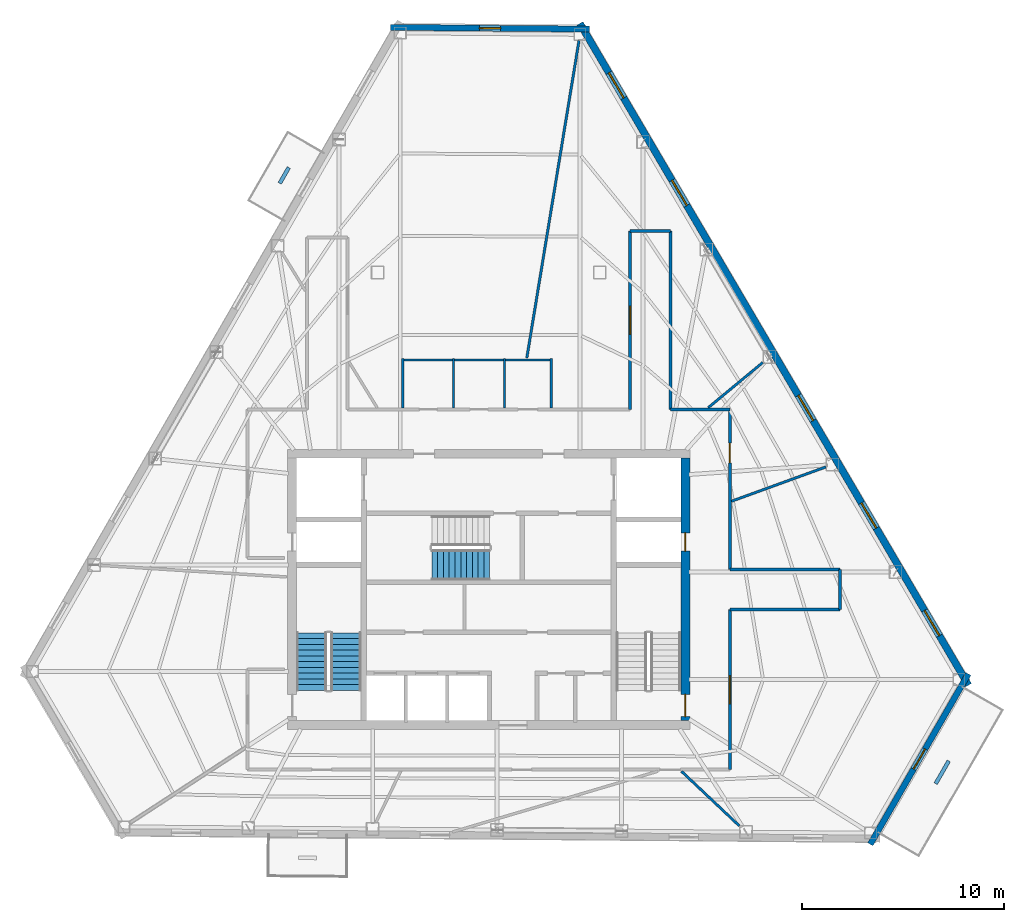
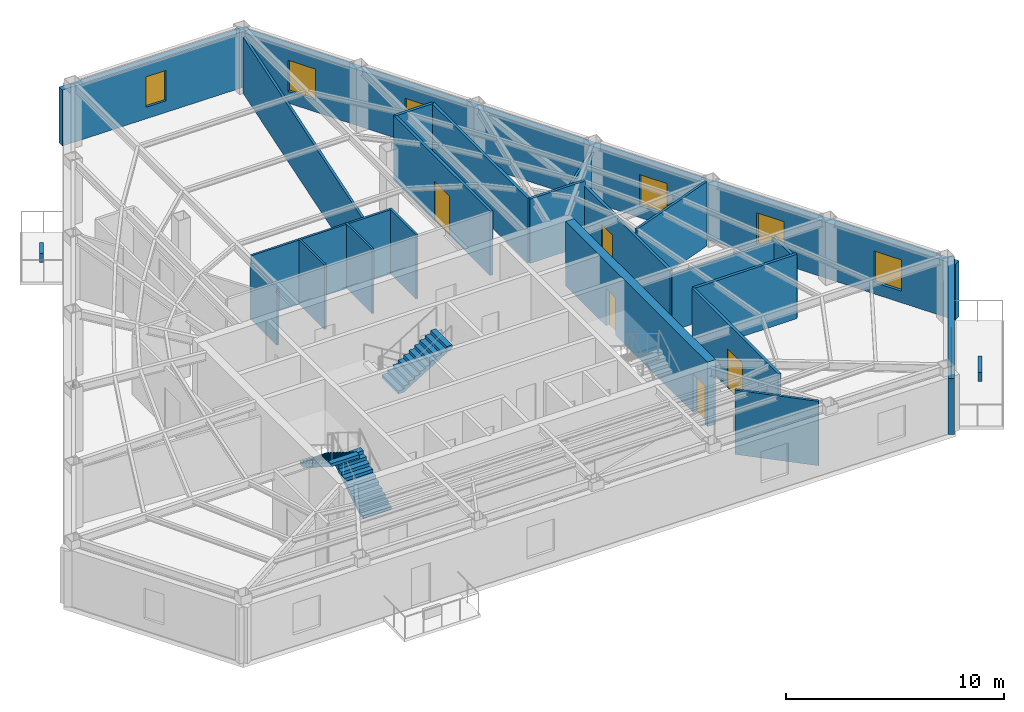
# One storey, part 9 of 12: 24 walls, 6 doors, 6 windows, 3 stair flights, 12 openings, 2 elements without a shape of their own.
"""IFC4 building model written with IfcOpenShell, lengths in metres."""

from ifc_helpers import new_model, si_unit, direction, frame, frame_2d, origin, place, context, subcontext, project, spatial, polyline, rectangle, outline, extrude, material, layer, layer_set, type_object, element, fill, aggregate, save


model = new_model("IFC4")

# Units and contexts
model_context = context("Model", 3, precision=1e-05, world=origin(), true_north=direction((0.0, 1.0)))
body_context = subcontext(model_context, "Body", "Model", "MODEL_VIEW")
ifc_project = project(units=[si_unit("LENGTHUNIT", "METRE"), si_unit("AREAUNIT", "SQUARE_METRE"), si_unit("VOLUMEUNIT", "CUBIC_METRE"), si_unit("PLANEANGLEUNIT", "RADIAN"), si_unit("MASSUNIT", "GRAM", prefix="KILO")], contexts=[model_context])

# Site, building, storey
site_placement = place(None, origin())
site = spatial("IfcSite", under=ifc_project, at=site_placement, CompositionType="ELEMENT")
building_placement = place(site_placement, origin())
building = spatial("IfcBuilding", under=site, at=building_placement, Name="Kavelnor Concourse Tower", CompositionType="ELEMENT")
storey_placement = place(building_placement, frame((0.0, 0.0, 191.949951171875)))
storey = spatial("IfcBuildingStorey", under=building, at=storey_placement, Name="L48", CompositionType="ELEMENT", Elevation=191.949951171875)

# Wall, openings, doors
ifc_material_1 = material(Name="Concrete C50/60", Category="concrete")
ifc_layer_1 = layer(ifc_material_1, 0.43994140625, Name="Concrete C50/60")
ifc_layer_set_1 = layer_set([ifc_layer_1], Name="Concrete C50/60")
wall_type_1 = type_object("IfcWallType", Name="WL-CORE-Z3-440", PredefinedType="SOLIDWALL", material=ifc_layer_set_1)
wall_1_placement = place(storey_placement, frame((47.739990234375, 9.60009765625, 0.0), z_axis=(0.0, 0.0, 1.0), x_axis=(0.0, 1.0, 0.0)))
wall_1 = element("IfcWall", 1, at=wall_1_placement, inside=storey, type_object=wall_type_1, Name="L48 Central Core East Shear Wall", PredefinedType="SOLIDWALL", context=body_context, shape_type="SweptSolid", body=[
    extrude(rectangle(XDim=13.0, YDim=0.43994140625, at=frame_2d((6.5, 0.0))), origin(), (0.0, 0.0, 1.0), 3.60009765625),
])
opening_1_placement = place(wall_1_placement, frame((0.199951171875, 0.0, 0.0)))
opening_1 = element("IfcOpeningElement", 2, at=opening_1_placement, cuts=wall_1, Name="Opening FD-110", PredefinedType="OPENING", context=body_context, shape_type="SweptSolid", body=[
    extrude(rectangle(XDim=1.10009765625, YDim=2.14990234375, at=frame_2d((0.550048828125, 1.074951171875))), frame((0.0, 0.22998046875, 0.0), z_axis=(0.0, -1.0, 0.0), x_axis=(1.0, 0.0, 0.0)), (0.0, 0.0, 1.0), 0.4599609375),
])
opening_2_placement = place(wall_1_placement, frame((8.39990234375, 0.0, 0.0)))
opening_2 = element("IfcOpeningElement", 3, at=opening_2_placement, cuts=wall_1, Name="Opening FD-090", PredefinedType="OPENING", context=body_context, shape_type="SweptSolid", body=[
    extrude(rectangle(XDim=0.89990234375, YDim=2.10009765625, at=frame_2d((0.449951171875, 1.050048828125))), frame((0.0, 0.22998046875, 0.0), z_axis=(0.0, -1.0, 0.0), x_axis=(1.0, 0.0, 0.0)), (0.0, 0.0, 1.0), 0.4599609375),
])
ifc_material_2 = material(Name="Steel Grade 350", Category="steel")
door_type_1 = type_object("IfcDoorType", Name="DR-RISER-FIRE-900", OperationType="NOTDEFINED", PredefinedType="DOOR", material=ifc_material_2)
door_1_placement = place(opening_2_placement, origin())
door_1 = element("IfcDoor", 4, at=door_1_placement, inside=storey, type_object=door_type_1, Name="L48 East Riser Access Door", OperationType="SINGLE_SWING_LEFT", OverallHeight=2.10009765625, OverallWidth=0.89990234375, PredefinedType="DOOR", context=body_context, shape_type="SweptSolid", body=[
    extrude(rectangle(XDim=0.89990234375, YDim=2.10009765625, at=frame_2d((0.449951171875, 1.050048828125))), frame((0.0, 0.02490234375, 0.0), z_axis=(0.0, -1.0, 0.0), x_axis=(1.0, 0.0, 0.0)), (0.0, 0.0, 1.0), 0.050048828125),
])
fill(opening_2, door_1)
door_type_2 = type_object("IfcDoorType", Name="DR-STAIR-FIRE-1100", OperationType="NOTDEFINED", PredefinedType="DOOR", material=ifc_material_2)
door_2_placement = place(opening_1_placement, origin())
door_2 = element("IfcDoor", 5, at=door_2_placement, inside=storey, type_object=door_type_2, Name="L48 Stair ST2 Fire Door", OperationType="SINGLE_SWING_RIGHT", OverallHeight=2.14990234375, OverallWidth=1.10009765625, PredefinedType="DOOR", context=body_context, shape_type="SweptSolid", body=[
    extrude(rectangle(XDim=1.10009765625, YDim=2.14990234375, at=frame_2d((0.550048828125, 1.074951171875))), frame((0.0, 0.02490234375, 0.0), z_axis=(0.0, -1.0, 0.0), x_axis=(1.0, 0.0, 0.0)), (0.0, 0.0, 1.0), 0.050048828125),
])
fill(opening_1, door_2)

# Wall, opening, window
ifc_material_3 = material(Name="Buff ironspot clay face brick masonry", Category="masonry")
ifc_layer_2 = layer(ifc_material_3, 0.300048828125, Name="Buff ironspot clay face brick masonry")
ifc_layer_set_2 = layer_set([ifc_layer_2], Name="Buff ironspot clay face brick masonry")
wall_type_2 = type_object("IfcWallType", Name="WL-EXT-BUFF-BRICK-FOLD-300", PredefinedType="STANDARD", material=ifc_layer_set_2)
wall_2_placement = place(storey_placement, frame((33.139404296875, 43.9375, 0.0), z_axis=(0.0, 0.0, 1.0), x_axis=(0.999963705721, -0.008519814607, 0.0)))
wall_2 = element("IfcWall", 6, at=wall_2_placement, inside=storey, type_object=wall_type_2, Name="L48 Exterior Brick Facade Wall E0", PredefinedType="STANDARD", context=body_context, shape_type="SweptSolid", body=[
    extrude(rectangle(XDim=9.857421875, YDim=0.300048828125, at=frame_2d((4.9287109375, 0.0))), origin(), (0.0, 0.0, 1.0), 3.132080078125),
])
opening_3_placement = place(wall_2_placement, frame((4.40380859375, 0.0, 0.64990234375)))
opening_3 = element("IfcOpeningElement", 7, at=opening_3_placement, cuts=wall_2, Name="Opening W-06", PredefinedType="OPENING", context=body_context, shape_type="SweptSolid", body=[
    extrude(rectangle(XDim=1.050048828125, YDim=1.699951171875, at=frame_2d((0.52490234375, 0.85009765625))), frame((0.0, 0.16015625, 0.0), z_axis=(0.0, -1.0, 0.0), x_axis=(1.0, 0.0, 0.0)), (0.0, 0.0, 1.0), 0.320068359375),
])
ifc_material_4 = material(Name="Double low-E argon insulated glazing", Category="glass")
window_type_1 = type_object("IfcWindowType", Name="WIN-FOLD-1050", PartitioningType="SINGLE_PANEL", PredefinedType="WINDOW", material=ifc_material_4)
window_1_placement = place(opening_3_placement, origin())
window_1 = element("IfcWindow", 8, at=window_1_placement, inside=storey, type_object=window_type_1, Name="L48 Chamfer-Fold Facet Window C0", OverallHeight=1.699951171875, OverallWidth=1.050048828125, PartitioningType="SINGLE_PANEL", PredefinedType="WINDOW", context=body_context, shape_type="SweptSolid", body=[
    extrude(rectangle(XDim=1.050048828125, YDim=1.699951171875, at=frame_2d((0.52490234375, 0.85009765625))), frame((0.0, 0.030029296875, 0.0), z_axis=(0.0, -1.0, 0.0), x_axis=(1.0, 0.0, 0.0)), (0.0, 0.0, 1.0), 0.06005859375),
])
fill(opening_3, window_1)

# Wall, opening, door
wall_3_placement = place(storey_placement, frame((61.75341796875, 11.9189453125, 0.0), z_axis=(0.0, 0.0, 1.0), x_axis=(-0.498955314761, -0.866627713538, 0.0)))
wall_3 = element("IfcWall", 9, at=wall_3_placement, inside=storey, type_object=wall_type_2, Name="L48 Exterior Brick Facade Wall E4", PredefinedType="STANDARD", context=body_context, shape_type="SweptSolid", body=[
    extrude(rectangle(XDim=9.737060546875, YDim=0.300048828125, at=frame_2d((4.86865234375, 0.0))), origin(), (0.0, 0.0, 1.0), 3.132080078125),
])
opening_4_placement = place(wall_3_placement, frame((4.293701171875, 0.0, 0.0)))
opening_4 = element("IfcOpeningElement", 10, at=opening_4_placement, cuts=wall_3, Name="Opening TD-115", PredefinedType="OPENING", context=body_context, shape_type="SweptSolid", body=[
    extrude(rectangle(XDim=1.14990234375, YDim=2.199951171875, at=frame_2d((0.574951171875, 1.10009765625))), frame((0.0, 0.16015625, 0.0), z_axis=(0.0, -1.0, 0.0), x_axis=(1.0, 0.0, 0.0)), (0.0, 0.0, 1.0), 0.320068359375),
])
ifc_material_5 = material(Name="Anodised aluminium 6063-T6", Category="aluminium")
door_type_3 = type_object("IfcDoorType", Name="DR-TERRACE-EXT-1150", OperationType="NOTDEFINED", PredefinedType="DOOR", material=ifc_material_5)
door_3_placement = place(opening_4_placement, origin())
door_3 = element("IfcDoor", 11, at=door_3_placement, inside=storey, type_object=door_type_3, Name="L48 Spiral Sky Terrace Access Door", OperationType="SINGLE_SWING_LEFT", OverallHeight=2.199951171875, OverallWidth=1.14990234375, PredefinedType="DOOR", context=body_context, shape_type="SweptSolid", body=[
    extrude(rectangle(XDim=1.14990234375, YDim=2.199951171875, at=frame_2d((0.574951171875, 1.10009765625))), frame((0.0, 0.02490234375, 0.0), z_axis=(0.0, -1.0, 0.0), x_axis=(1.0, 0.0, 0.0)), (0.0, 0.0, 1.0), 0.050048828125),
])
fill(opening_4, door_3)

# Wall, openings, windows
ifc_material_6 = material(Name="Red-ochre clay face brick masonry", Category="masonry")
ifc_layer_3 = layer(ifc_material_6, 0.35009765625, Name="Red-ochre clay face brick masonry")
ifc_layer_set_3 = layer_set([ifc_layer_3], Name="Red-ochre clay face brick masonry")
wall_type_3 = type_object("IfcWallType", Name="WL-EXT-RED-BRICK-PIER-350", PredefinedType="STANDARD", material=ifc_layer_set_3)
wall_4_placement = place(storey_placement, frame((42.515869140625, 44.13134765625, 0.0), z_axis=(0.0, 0.0, 1.0), x_axis=(0.506310158323, -0.862351450152, 0.0)))
wall_4 = element("IfcWall", 12, at=wall_4_placement, inside=storey, type_object=wall_type_3, Name="L48 Exterior Brick Facade Wall E5", PredefinedType="STANDARD", context=body_context, shape_type="SweptSolid", body=[
    extrude(rectangle(XDim=38.0, YDim=0.35009765625, at=frame_2d((19.0, 0.0))), origin(), (0.0, 0.0, 1.0), 3.132080078125),
])
opening_5_placement = place(wall_4_placement, frame((33.70849609375, 0.0, 0.64990234375)))
opening_5 = element("IfcOpeningElement", 13, at=opening_5_placement, cuts=wall_4, Name="Opening W-03", PredefinedType="OPENING", context=body_context, shape_type="SweptSolid", body=[
    extrude(rectangle(XDim=1.449951171875, YDim=1.75, at=frame_2d((0.72509765625, 0.875))), frame((0.0, 0.18505859375, 0.0), z_axis=(0.0, -1.0, 0.0), x_axis=(1.0, 0.0, 0.0)), (0.0, 0.0, 1.0), 0.3701171875),
])
opening_6_placement = place(wall_4_placement, frame((27.53369140625, 0.0, 0.64990234375)))
opening_6 = element("IfcOpeningElement", 14, at=opening_6_placement, cuts=wall_4, Name="Opening W-03", PredefinedType="OPENING", context=body_context, shape_type="SweptSolid", body=[
    extrude(rectangle(XDim=1.449951171875, YDim=1.75, at=frame_2d((0.72509765625, 0.875))), frame((0.0, 0.18505859375, 0.0), z_axis=(0.0, -1.0, 0.0), x_axis=(1.0, 0.0, 0.0)), (0.0, 0.0, 1.0), 0.3701171875),
])
opening_7_placement = place(wall_4_placement, frame((21.35888671875, 0.0, 0.64990234375)))
opening_7 = element("IfcOpeningElement", 15, at=opening_7_placement, cuts=wall_4, Name="Opening W-03", PredefinedType="OPENING", context=body_context, shape_type="SweptSolid", body=[
    extrude(rectangle(XDim=1.449951171875, YDim=1.75, at=frame_2d((0.72509765625, 0.875))), frame((0.0, 0.18505859375, 0.0), z_axis=(0.0, -1.0, 0.0), x_axis=(1.0, 0.0, 0.0)), (0.0, 0.0, 1.0), 0.3701171875),
])
opening_8_placement = place(wall_4_placement, frame((9.00927734375, 0.0, 0.64990234375)))
opening_8 = element("IfcOpeningElement", 16, at=opening_8_placement, cuts=wall_4, Name="Opening W-03", PredefinedType="OPENING", context=body_context, shape_type="SweptSolid", body=[
    extrude(rectangle(XDim=1.449951171875, YDim=1.75, at=frame_2d((0.72509765625, 0.875))), frame((0.0, 0.18505859375, 0.0), z_axis=(0.0, -1.0, 0.0), x_axis=(1.0, 0.0, 0.0)), (0.0, 0.0, 1.0), 0.3701171875),
])
opening_9_placement = place(wall_4_placement, frame((2.83447265625, 0.0, 0.64990234375)))
opening_9 = element("IfcOpeningElement", 17, at=opening_9_placement, cuts=wall_4, Name="Opening W-03", PredefinedType="OPENING", context=body_context, shape_type="SweptSolid", body=[
    extrude(rectangle(XDim=1.449951171875, YDim=1.75, at=frame_2d((0.72509765625, 0.875))), frame((0.0, 0.18505859375, 0.0), z_axis=(0.0, -1.0, 0.0), x_axis=(1.0, 0.0, 0.0)), (0.0, 0.0, 1.0), 0.3701171875),
])
window_type_2 = type_object("IfcWindowType", Name="WIN-PIER-Z3-1500", PartitioningType="SINGLE_PANEL", PredefinedType="WINDOW", material=ifc_material_4)
window_2_placement = place(opening_5_placement, origin())
window_2 = element("IfcWindow", 18, at=window_2_placement, inside=storey, type_object=window_type_2, Name="L48 Deep-Set Brick Pier Window F2-B0", OverallHeight=1.75, OverallWidth=1.449951171875, PartitioningType="SINGLE_PANEL", PredefinedType="WINDOW", context=body_context, shape_type="SweptSolid", body=[
    extrude(rectangle(XDim=1.449951171875, YDim=1.75, at=frame_2d((0.72509765625, 0.875))), frame((0.0, 0.030029296875, 0.0), z_axis=(0.0, -1.0, 0.0), x_axis=(1.0, 0.0, 0.0)), (0.0, 0.0, 1.0), 0.06005859375),
])
fill(opening_5, window_2)
window_3_placement = place(opening_6_placement, origin())
window_3 = element("IfcWindow", 19, at=window_3_placement, inside=storey, type_object=window_type_2, Name="L48 Deep-Set Brick Pier Window F2-B1", OverallHeight=1.75, OverallWidth=1.449951171875, PartitioningType="SINGLE_PANEL", PredefinedType="WINDOW", context=body_context, shape_type="SweptSolid", body=[
    extrude(rectangle(XDim=1.449951171875, YDim=1.75, at=frame_2d((0.72509765625, 0.875))), frame((0.0, 0.030029296875, 0.0), z_axis=(0.0, -1.0, 0.0), x_axis=(1.0, 0.0, 0.0)), (0.0, 0.0, 1.0), 0.06005859375),
])
fill(opening_6, window_3)
window_4_placement = place(opening_7_placement, origin())
window_4 = element("IfcWindow", 20, at=window_4_placement, inside=storey, type_object=window_type_2, Name="L48 Deep-Set Brick Pier Window F2-B2", OverallHeight=1.75, OverallWidth=1.449951171875, PartitioningType="SINGLE_PANEL", PredefinedType="WINDOW", context=body_context, shape_type="SweptSolid", body=[
    extrude(rectangle(XDim=1.449951171875, YDim=1.75, at=frame_2d((0.72509765625, 0.875))), frame((0.0, 0.030029296875, 0.0), z_axis=(0.0, -1.0, 0.0), x_axis=(1.0, 0.0, 0.0)), (0.0, 0.0, 1.0), 0.06005859375),
])
fill(opening_7, window_4)
window_5_placement = place(opening_8_placement, origin())
window_5 = element("IfcWindow", 21, at=window_5_placement, inside=storey, type_object=window_type_2, Name="L48 Deep-Set Brick Pier Window F2-B4", OverallHeight=1.75, OverallWidth=1.449951171875, PartitioningType="SINGLE_PANEL", PredefinedType="WINDOW", context=body_context, shape_type="SweptSolid", body=[
    extrude(rectangle(XDim=1.449951171875, YDim=1.75, at=frame_2d((0.72509765625, 0.875))), frame((0.0, 0.030029296875, 0.0), z_axis=(0.0, -1.0, 0.0), x_axis=(1.0, 0.0, 0.0)), (0.0, 0.0, 1.0), 0.06005859375),
])
fill(opening_8, window_5)
window_6_placement = place(opening_9_placement, origin())
window_6 = element("IfcWindow", 22, at=window_6_placement, inside=storey, type_object=window_type_2, Name="L48 Deep-Set Brick Pier Window F2-B5", OverallHeight=1.75, OverallWidth=1.449951171875, PartitioningType="SINGLE_PANEL", PredefinedType="WINDOW", context=body_context, shape_type="SweptSolid", body=[
    extrude(rectangle(XDim=1.449951171875, YDim=1.75, at=frame_2d((0.72509765625, 0.875))), frame((0.0, 0.030029296875, 0.0), z_axis=(0.0, -1.0, 0.0), x_axis=(1.0, 0.0, 0.0)), (0.0, 0.0, 1.0), 0.06005859375),
])
fill(opening_9, window_6)

# Wall, opening, door
ifc_material_7 = material(Name="Gypsum plasterboard on light-gauge steel studs", Category="steel")
ifc_layer_4 = layer(ifc_material_7, 0.14501953125, Name="Gypsum plasterboard on light-gauge steel studs")
ifc_layer_set_4 = layer_set([ifc_layer_4], Name="Gypsum plasterboard on light-gauge steel studs")
wall_type_4 = type_object("IfcWallType", Name="WL-INT-CORR-145", PredefinedType="PARTITIONING", material=ifc_layer_set_4)
wall_5_placement = place(storey_placement, frame((45.0, 25.02001953125, 0.0), z_axis=(0.0, 0.0, 1.0), x_axis=(0.0, 1.0, 0.0)))
wall_5 = element("IfcWall", 23, at=wall_5_placement, inside=storey, type_object=wall_type_4, Name="L48 Corridor Wall WL-L48-CR-08", PredefinedType="PARTITIONING", context=body_context, shape_type="SweptSolid", body=[
    extrude(rectangle(XDim=8.836669921875, YDim=0.14501953125, at=frame_2d((4.41845703125, 0.0))), origin(), (0.0, 0.0, 1.0), 3.60009765625),
])
opening_10_placement = place(wall_5_placement, frame((3.71826171875, 0.0, 0.0)))
opening_10 = element("IfcOpeningElement", 24, at=opening_10_placement, cuts=wall_5, Name="Opening SD-140", PredefinedType="OPENING", context=body_context, shape_type="SweptSolid", body=[
    extrude(rectangle(XDim=1.39990234375, YDim=2.199951171875, at=frame_2d((0.699951171875, 1.10009765625))), frame((0.0, 0.08251953125, 0.0), z_axis=(0.0, -1.0, 0.0), x_axis=(1.0, 0.0, 0.0)), (0.0, 0.0, 1.0), 0.1650390625),
])
ifc_material_8 = material(Name="Solid-core hardwood timber", Category="wood")
door_type_4 = type_object("IfcDoorType", Name="DR-SUITE-ENTRY-1400", OperationType="NOTDEFINED", PredefinedType="DOOR", material=ifc_material_8)
door_4_placement = place(opening_10_placement, origin())
door_4 = element("IfcDoor", 25, at=door_4_placement, inside=storey, type_object=door_type_4, Name="L48 Staff Breakout Pantry 02 Door", OperationType="SINGLE_SWING_LEFT", OverallHeight=2.199951171875, OverallWidth=1.39990234375, PredefinedType="DOOR", context=body_context, shape_type="SweptSolid", body=[
    extrude(rectangle(XDim=1.39990234375, YDim=2.199951171875, at=frame_2d((0.699951171875, 1.10009765625))), frame((0.0, 0.02490234375, 0.0), z_axis=(0.0, -1.0, 0.0), x_axis=(1.0, 0.0, 0.0)), (0.0, 0.0, 1.0), 0.050048828125),
])
fill(opening_10, door_4)

# Walls
wall_6_placement = place(storey_placement, frame((45.0, 33.856689453125, 0.0), z_axis=(0.0, 0.0, 1.0), x_axis=(1.0, 0.0, 0.0)))
element("IfcWall", 26, at=wall_6_placement, inside=storey, type_object=wall_type_4, Name="L48 Corridor Wall WL-L48-CR-09", PredefinedType="PARTITIONING", context=body_context, shape_type="SweptSolid", body=[
    extrude(rectangle(XDim=2.0, YDim=0.14501953125, at=frame_2d((1.0, 0.0))), origin(), (0.0, 0.0, 1.0), 3.60009765625),
])
wall_7_placement = place(storey_placement, frame((47.0, 33.856689453125, 0.0), z_axis=(0.0, 0.0, 1.0), x_axis=(0.0, -1.0, 0.0)))
element("IfcWall", 27, at=wall_7_placement, inside=storey, type_object=wall_type_4, Name="L48 Corridor Wall WL-L48-CR-10", PredefinedType="PARTITIONING", context=body_context, shape_type="SweptSolid", body=[
    extrude(rectangle(XDim=8.836669921875, YDim=0.14501953125, at=frame_2d((4.41845703125, 0.0))), origin(), (0.0, 0.0, 1.0), 3.60009765625),
])
wall_8_placement = place(storey_placement, frame((47.0, 25.02001953125, 0.0), z_axis=(0.0, 0.0, 1.0), x_axis=(1.0, 0.0, 0.0)))
element("IfcWall", 28, at=wall_8_placement, inside=storey, type_object=wall_type_4, Name="L48 Corridor Wall WL-L48-CR-11", PredefinedType="PARTITIONING", context=body_context, shape_type="SweptSolid", body=[
    extrude(rectangle(XDim=2.93994140625, YDim=0.14501953125, at=frame_2d((1.469970703125, 0.0))), origin(), (0.0, 0.0, 1.0), 3.60009765625),
])

# Wall, opening, door
wall_9_placement = place(storey_placement, frame((49.93994140625, 25.02001953125, 0.0), z_axis=(0.0, 0.0, 1.0), x_axis=(0.0, -1.0, 0.0)))
wall_9 = element("IfcWall", 29, at=wall_9_placement, inside=storey, type_object=wall_type_4, Name="L48 Corridor Wall WL-L48-CR-12", PredefinedType="PARTITIONING", context=body_context, shape_type="SweptSolid", body=[
    extrude(rectangle(XDim=7.919921875, YDim=0.14501953125, at=frame_2d((3.9599609375, 0.0))), origin(), (0.0, 0.0, 1.0), 3.339111328125),
])
opening_11_placement = place(wall_9_placement, frame((1.67138671875, 0.0, 0.0)))
opening_11 = element("IfcOpeningElement", 30, at=opening_11_placement, cuts=wall_9, Name="Opening OD-098", PredefinedType="OPENING", context=body_context, shape_type="SweptSolid", body=[
    extrude(rectangle(XDim=0.97998046875, YDim=2.14990234375, at=frame_2d((0.489990234375, 1.074951171875))), frame((0.0, 0.08251953125, 0.0), z_axis=(0.0, -1.0, 0.0), x_axis=(1.0, 0.0, 0.0)), (0.0, 0.0, 1.0), 0.1650390625),
])
door_type_5 = type_object("IfcDoorType", Name="DR-OFFICE-980", OperationType="NOTDEFINED", PredefinedType="DOOR", material=ifc_material_8)
door_5_placement = place(opening_11_placement, origin())
door_5 = element("IfcDoor", 31, at=door_5_placement, inside=storey, type_object=door_type_5, Name="L48 Building Staff Breakroom 01 Door", OperationType="SINGLE_SWING_RIGHT", OverallHeight=2.14990234375, OverallWidth=0.97998046875, PredefinedType="DOOR", context=body_context, shape_type="SweptSolid", body=[
    extrude(rectangle(XDim=0.97998046875, YDim=2.14990234375, at=frame_2d((0.489990234375, 1.074951171875))), frame((0.0, 0.02490234375, 0.0), z_axis=(0.0, -1.0, 0.0), x_axis=(1.0, 0.0, 0.0)), (0.0, 0.0, 1.0), 0.050048828125),
])
fill(opening_11, door_5)

# Walls
wall_10_placement = place(storey_placement, frame((49.93994140625, 17.10009765625, 0.0), z_axis=(0.0, 0.0, 1.0), x_axis=(1.0, 0.0, 0.0)))
element("IfcWall", 32, at=wall_10_placement, inside=storey, type_object=wall_type_4, Name="L48 Corridor Wall WL-L48-CR-13", PredefinedType="PARTITIONING", context=body_context, shape_type="SweptSolid", body=[
    extrude(rectangle(XDim=5.4599609375, YDim=0.14501953125, at=frame_2d((2.72998046875, 0.0))), origin(), (0.0, 0.0, 1.0), 3.14111328125),
])
wall_11_placement = place(storey_placement, frame((55.39990234375, 17.10009765625, 0.0), z_axis=(0.0, 0.0, 1.0), x_axis=(0.0, -1.0, 0.0)))
element("IfcWall", 33, at=wall_11_placement, inside=storey, type_object=wall_type_4, Name="L48 Corridor Wall WL-L48-CR-14", PredefinedType="PARTITIONING", context=body_context, shape_type="SweptSolid", body=[
    extrude(rectangle(XDim=2.0, YDim=0.14501953125, at=frame_2d((1.0, 0.0))), origin(), (0.0, 0.0, 1.0), 3.339111328125),
])
wall_12_placement = place(storey_placement, frame((55.39990234375, 15.10009765625, 0.0), z_axis=(0.0, 0.0, 1.0), x_axis=(-1.0, 0.0, 0.0)))
element("IfcWall", 34, at=wall_12_placement, inside=storey, type_object=wall_type_4, Name="L48 Corridor Wall WL-L48-CR-15", PredefinedType="PARTITIONING", context=body_context, shape_type="SweptSolid", body=[
    extrude(rectangle(XDim=5.4599609375, YDim=0.14501953125, at=frame_2d((2.72998046875, 0.0))), origin(), (0.0, 0.0, 1.0), 3.60009765625),
])

# Wall, opening, door
wall_13_placement = place(storey_placement, frame((49.93994140625, 15.10009765625, 0.0), z_axis=(0.0, 0.0, 1.0), x_axis=(0.0, -1.0, 0.0)))
wall_13 = element("IfcWall", 35, at=wall_13_placement, inside=storey, type_object=wall_type_4, Name="L48 Corridor Wall WL-L48-CR-16", PredefinedType="PARTITIONING", context=body_context, shape_type="SweptSolid", body=[
    extrude(rectangle(XDim=7.920166015625, YDim=0.14501953125, at=frame_2d((3.9599609375, 0.0))), origin(), (0.0, 0.0, 1.0), 3.60009765625),
])
opening_12_placement = place(wall_13_placement, frame((3.260009765625, 0.0, 0.0)))
opening_12 = element("IfcOpeningElement", 36, at=opening_12_placement, cuts=wall_13, Name="Opening SD-140", PredefinedType="OPENING", context=body_context, shape_type="SweptSolid", body=[
    extrude(rectangle(XDim=1.39990234375, YDim=2.199951171875, at=frame_2d((0.699951171875, 1.10009765625))), frame((0.0, 0.08251953125, 0.0), z_axis=(0.0, -1.0, 0.0), x_axis=(1.0, 0.0, 0.0)), (0.0, 0.0, 1.0), 0.1650390625),
])
door_6_placement = place(opening_12_placement, origin())
door_6 = element("IfcDoor", 37, at=door_6_placement, inside=storey, type_object=door_type_4, Name="L48 Workplace Open Office 09 Door", OperationType="SINGLE_SWING_RIGHT", OverallHeight=2.199951171875, OverallWidth=1.39990234375, PredefinedType="DOOR", context=body_context, shape_type="SweptSolid", body=[
    extrude(rectangle(XDim=1.39990234375, YDim=2.199951171875, at=frame_2d((0.699951171875, 1.10009765625))), frame((0.0, 0.02490234375, 0.0), z_axis=(0.0, -1.0, 0.0), x_axis=(1.0, 0.0, 0.0)), (0.0, 0.0, 1.0), 0.050048828125),
])
fill(opening_12, door_6)

# Walls
ifc_layer_5 = layer(ifc_material_7, 0.125, Name="Gypsum plasterboard on light-gauge steel studs")
ifc_layer_set_5 = layer_set([ifc_layer_5], Name="Gypsum plasterboard on light-gauge steel studs")
wall_type_5 = type_object("IfcWallType", Name="WL-INT-SUITE-125", PredefinedType="PARTITIONING", material=ifc_layer_set_5)
wall_14_placement = place(storey_placement, frame((50.0205078125, 20.468505859375, 0.0), z_axis=(0.0, 0.0, 1.0), x_axis=(0.939863560333, 0.341550125103, 0.0)))
element("IfcWall", 38, at=wall_14_placement, inside=storey, type_object=wall_type_5, Name="L48 Radial Suite Partition 01", PredefinedType="PARTITIONING", context=body_context, shape_type="SweptSolid", body=[
    extrude(rectangle(XDim=4.978515625, YDim=0.125, at=frame_2d((2.4892578125, 0.0))), origin(), (0.0, 0.0, 1.0), 3.60009765625),
])
wall_15_placement = place(storey_placement, frame((48.86767578125, 25.1005859375, 0.0), z_axis=(0.0, 0.0, 1.0), x_axis=(0.77016591737, 0.637843601302, 0.0)))
element("IfcWall", 39, at=wall_15_placement, inside=storey, type_object=wall_type_5, Name="L48 Radial Suite Partition 02", PredefinedType="PARTITIONING", context=body_context, shape_type="SweptSolid", body=[
    extrude(rectangle(XDim=3.512939453125, YDim=0.125, at=frame_2d((1.75634765625, 0.0))), origin(), (0.0, 0.0, 1.0), 3.14111328125),
])
wall_16_placement = place(storey_placement, frame((39.886962890625, 27.570068359375, 0.0), z_axis=(0.0, 0.0, 1.0), x_axis=(0.162334640523, 0.986735762241, 0.0)))
element("IfcWall", 40, at=wall_16_placement, inside=storey, type_object=wall_type_5, Name="L48 Radial Suite Partition 03", PredefinedType="PARTITIONING", context=body_context, shape_type="SweptSolid", body=[
    extrude(rectangle(XDim=15.920654296875, YDim=0.125, at=frame_2d((7.96044921875, 0.0))), origin(), (0.0, 0.0, 1.0), 3.14111328125),
])
wall_17_placement = place(storey_placement, frame((47.5419921875, 7.099609375, 0.0), z_axis=(0.0, 0.0, 1.0), x_axis=(0.727449032528, -0.68616171933, 0.0)))
element("IfcWall", 41, at=wall_17_placement, inside=storey, type_object=wall_type_5, Name="L48 Radial Suite Partition 08", PredefinedType="PARTITIONING", context=body_context, shape_type="SweptSolid", body=[
    extrude(rectangle(XDim=3.944091796875, YDim=0.125, at=frame_2d((1.97216796875, 0.0))), origin(), (0.0, 0.0, 1.0), 3.60009765625),
])
ifc_layer_6 = layer(ifc_material_7, 0.110107421875, Name="Gypsum plasterboard on light-gauge steel studs")
ifc_layer_set_6 = layer_set([ifc_layer_6], Name="Gypsum plasterboard on light-gauge steel studs")
wall_type_6 = type_object("IfcWallType", Name="WL-INT-WC-110", PredefinedType="PLUMBINGWALL", material=ifc_layer_set_6)
wall_18_placement = place(storey_placement, frame((33.739990234375, 25.090087890625, 0.0), z_axis=(0.0, 0.0, 1.0), x_axis=(0.0, 1.0, 0.0)))
element("IfcWall", 42, at=wall_18_placement, inside=storey, type_object=wall_type_6, Name="L48 Sanitary Partition WL-L48-WC-W", PredefinedType="PLUMBINGWALL", context=body_context, shape_type="SweptSolid", body=[
    extrude(rectangle(XDim=2.43994140625, YDim=0.110107421875, at=frame_2d((1.219970703125, 0.0))), origin(), (0.0, 0.0, 1.0), 3.14111328125),
])
for number, where, z_axis, x_axis, name in (
    (43, (36.260009765625, 25.090087890625, 0.0), (0.0, 0.0, 1.0), (0.0, 1.0, 0.0), "L48 Sanitary Partition WL-L48-WC-D1"),
    (44, (38.780029296875, 25.090087890625, 0.0), (0.0, 0.0, 1.0), (0.0, 1.0, 0.0), "L48 Sanitary Partition WL-L48-WC-D2"),
    (45, (41.10009765625, 25.090087890625, 0.0), (0.0, 0.0, 1.0), (0.0, 1.0, 0.0), "L48 Sanitary Partition WL-L48-WC-E"),
):
    element("IfcWall", number, at=place(storey_placement, frame(where, z_axis=z_axis, x_axis=x_axis)), inside=storey, type_object=wall_type_6, Name=name, PredefinedType="PLUMBINGWALL", context=body_context, shape_type="SweptSolid", body=[
        extrude(rectangle(XDim=2.43994140625, YDim=0.110107421875, at=frame_2d((1.219970703125, 0.0))), origin(), (0.0, 0.0, 1.0), 3.60009765625),
    ])
wall_19_placement = place(storey_placement, frame((33.68994140625, 27.469970703125, 0.0), z_axis=(0.0, 0.0, 1.0), x_axis=(1.0, 0.0, 0.0)))
element("IfcWall", 46, at=wall_19_placement, inside=storey, type_object=wall_type_6, Name="L48 Sanitary Partition WL-L48-WC-N", PredefinedType="PLUMBINGWALL", context=body_context, shape_type="SweptSolid", body=[
    extrude(rectangle(XDim=7.4599609375, YDim=0.110107421875, at=frame_2d((3.72998046875, 0.0))), origin(), (0.0, 0.0, 1.0), 3.60009765625),
])
ifc_material_9 = material(Name="Architectural precast planter concrete C40/50", Category="concrete")
ifc_layer_7 = layer(ifc_material_9, 0.18994140625, Name="Architectural precast planter concrete C40/50")
ifc_layer_set_7 = layer_set([ifc_layer_7], Name="Architectural precast planter concrete C40/50")
wall_type_7 = type_object("IfcWallType", Name="WL-PLANTER-KERB-190", PredefinedType="USERDEFINED", material=ifc_layer_set_7)
wall_20_placement = place(storey_placement, frame((60.135009765625, 6.482666015625, 0.0), z_axis=(0.0, 0.0, 1.0), x_axis=(0.49894734977, 0.866632299281, 0.0)))
element("IfcWall", 47, at=wall_20_placement, inside=storey, type_object=wall_type_7, Name="L48 Spiral Terrace Landscaped Planter Kerb", ObjectType="PLANTER", PredefinedType="USERDEFINED", context=body_context, shape_type="SweptSolid", body=[
    extrude(rectangle(XDim=1.300048828125, YDim=0.18994140625, at=frame_2d((0.64990234375, 0.0))), origin(), (0.0, 0.0, 1.0), 0.52001953125),
])
wall_21_placement = place(storey_placement, frame((28.10009765625, 36.99609375, 0.0), z_axis=(0.0, 0.0, 1.0), x_axis=(-0.499057033185, -0.866569141862, 0.0)))
element("IfcWall", 48, at=wall_21_placement, inside=storey, type_object=wall_type_7, Name="L48 Tree Balcony 1 Tree Planter Kerb", ObjectType="PLANTER", PredefinedType="USERDEFINED", context=body_context, shape_type="SweptSolid", body=[
    extrude(rectangle(XDim=0.900146484375, YDim=0.18994140625, at=frame_2d((0.4501953125, 0.0))), origin(), (0.0, 0.0, 1.0), 0.5),
])

# Stair, stair flights
ifc_material_10 = material(Name="Concrete C40/50", Category="concrete")
stair_type = type_object("IfcStairType", Name="STR-CORE-1500", PredefinedType="HALF_TURN_STAIR", material=ifc_material_10)
stair_1_placement = place(storey_placement, origin())
stair_1 = element("IfcStair", 49, at=stair_1_placement, inside=storey, type_object=stair_type, Name="L48 ST1", PredefinedType="HALF_TURN_STAIR")
stair_flight_type = type_object("IfcStairFlightType", Name="STR-FLIGHT-1500", PredefinedType="STRAIGHT", material=ifc_material_10)
stair_flight_1_placement = place(storey_placement, frame((30.929931640625, 11.10009765625, 0.0), z_axis=(0.0, 0.0, 1.0), x_axis=(0.0, 1.0, 0.0)))
stair_flight_1 = element("IfcStairFlight", 50, at=stair_flight_1_placement, type_object=stair_flight_type, Name="ST1 flight 1", NumberOfRisers=11, NumberOfTreads=10, PredefinedType="STRAIGHT", RiserHeight=0.175, TreadLength=0.285, context=body_context, shape_type="SweptSolid", body=[
    extrude(outline(polyline([(0.0, 0.0), (0.0, 0.175048828125), (0.284912109375, 0.175048828125), (0.284912109375, 0.35009765625), (0.570068359375, 0.35009765625), (0.570068359375, 0.52490234375), (0.85498046875, 0.52490234375), (0.85498046875, 0.699951171875), (1.139892578125, 0.699951171875), (1.139892578125, 0.875), (1.425048828125, 0.875), (1.425048828125, 1.050048828125), (1.7099609375, 1.050048828125), (1.7099609375, 1.22509765625), (1.9951171875, 1.22509765625), (1.9951171875, 1.39990234375), (2.280029296875, 1.39990234375), (2.280029296875, 1.574951171875), (2.56494140625, 1.574951171875), (2.56494140625, 1.75), (2.85009765625, 1.75), (2.85009765625, 1.925048828125), (2.85009765625, 1.573974609375), (0.286376953125, 0.0), (0.0, 0.0)])), frame((0.0, 0.75, 0.0), z_axis=(0.0, -1.0, 0.0), x_axis=(1.0, 0.0, 0.0)), (0.0, 0.0, 1.0), 1.5),
])
stair_flight_2_placement = place(storey_placement, frame((29.22998046875, 13.949951171875, 1.925048828125), z_axis=(0.0, 0.0, 1.0), x_axis=(0.0, -1.0, 0.0)))
stair_flight_2 = element("IfcStairFlight", 51, at=stair_flight_2_placement, type_object=stair_flight_type, Name="ST1 flight 2", NumberOfRisers=11, NumberOfTreads=10, PredefinedType="STRAIGHT", RiserHeight=0.175, TreadLength=0.285, context=body_context, shape_type="SweptSolid", body=[
    extrude(outline(polyline([(0.0, 0.0), (0.0, 0.175048828125), (0.284912109375, 0.175048828125), (0.284912109375, 0.35009765625), (0.570068359375, 0.35009765625), (0.570068359375, 0.52490234375), (0.85498046875, 0.52490234375), (0.85498046875, 0.699951171875), (1.139892578125, 0.699951171875), (1.139892578125, 0.875), (1.425048828125, 0.875), (1.425048828125, 1.050048828125), (1.7099609375, 1.050048828125), (1.7099609375, 1.22509765625), (1.9951171875, 1.22509765625), (1.9951171875, 1.39990234375), (2.280029296875, 1.39990234375), (2.280029296875, 1.574951171875), (2.56494140625, 1.574951171875), (2.56494140625, 1.75), (2.85009765625, 1.75), (2.85009765625, 1.925048828125), (2.85009765625, 1.573974609375), (0.286376953125, 0.0), (0.0, 0.0)])), frame((0.0, 0.75, 0.0), z_axis=(0.0, -1.0, 0.0), x_axis=(1.0, 0.0, 0.0)), (0.0, 0.0, 1.0), 1.5),
])
aggregate(stair_1, [stair_flight_1, stair_flight_2])

# Stair, stair flight
stair_2_placement = place(storey_placement, origin())
stair_2 = element("IfcStair", 52, at=stair_2_placement, inside=storey, type_object=stair_type, Name="L48 ST3", PredefinedType="HALF_TURN_STAIR")
stair_flight_3_placement = place(storey_placement, frame((35.18994140625, 17.31005859375, 1.925048828125), z_axis=(0.0, 0.0, 1.0), x_axis=(1.0, 0.0, 0.0)))
stair_flight_3 = element("IfcStairFlight", 53, at=stair_flight_3_placement, type_object=stair_flight_type, Name="ST3 flight 2", NumberOfRisers=11, NumberOfTreads=10, PredefinedType="STRAIGHT", RiserHeight=0.175, TreadLength=0.285, context=body_context, shape_type="SweptSolid", body=[
    extrude(outline(polyline([(0.0, 0.0), (0.0, 0.175048828125), (0.284912109375, 0.175048828125), (0.284912109375, 0.35009765625), (0.570068359375, 0.35009765625), (0.570068359375, 0.52490234375), (0.85498046875, 0.52490234375), (0.85498046875, 0.699951171875), (1.139892578125, 0.699951171875), (1.139892578125, 0.875), (1.425048828125, 0.875), (1.425048828125, 1.050048828125), (1.7099609375, 1.050048828125), (1.7099609375, 1.22509765625), (1.9951171875, 1.22509765625), (1.9951171875, 1.39990234375), (2.280029296875, 1.39990234375), (2.280029296875, 1.574951171875), (2.56494140625, 1.574951171875), (2.56494140625, 1.75), (2.85009765625, 1.75), (2.85009765625, 1.925048828125), (2.85009765625, 1.573974609375), (0.286376953125, 0.0), (0.0, 0.0)])), frame((0.0, 0.75, 0.0), z_axis=(0.0, -1.0, 0.0), x_axis=(1.0, 0.0, 0.0)), (0.0, 0.0, 1.0), 1.5),
])
aggregate(stair_2, [stair_flight_3])

save(model, "model.ifc")
